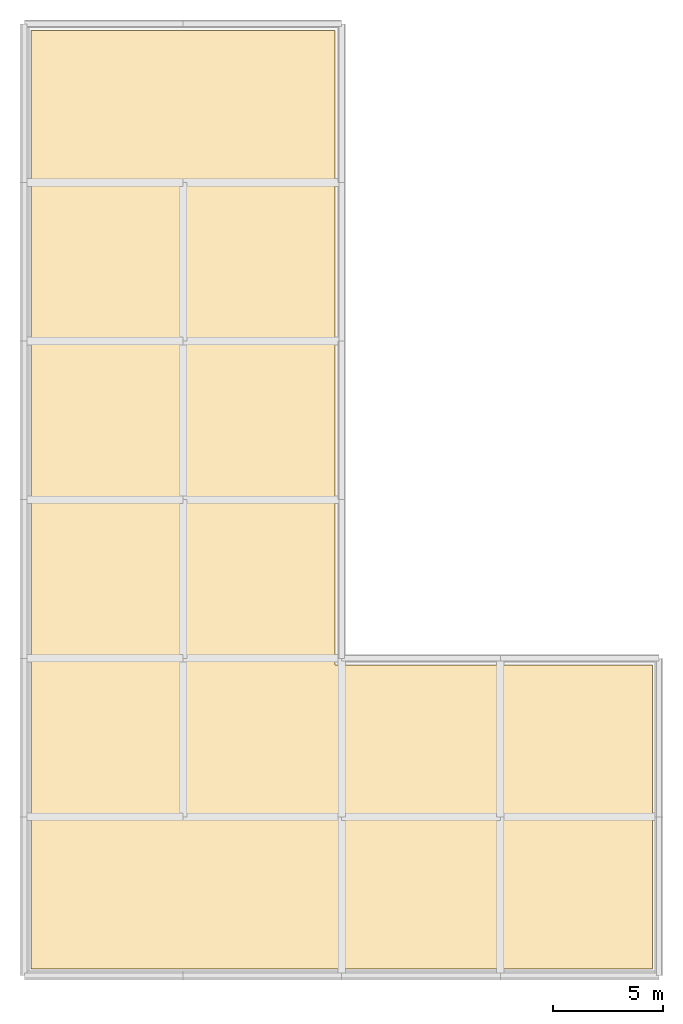
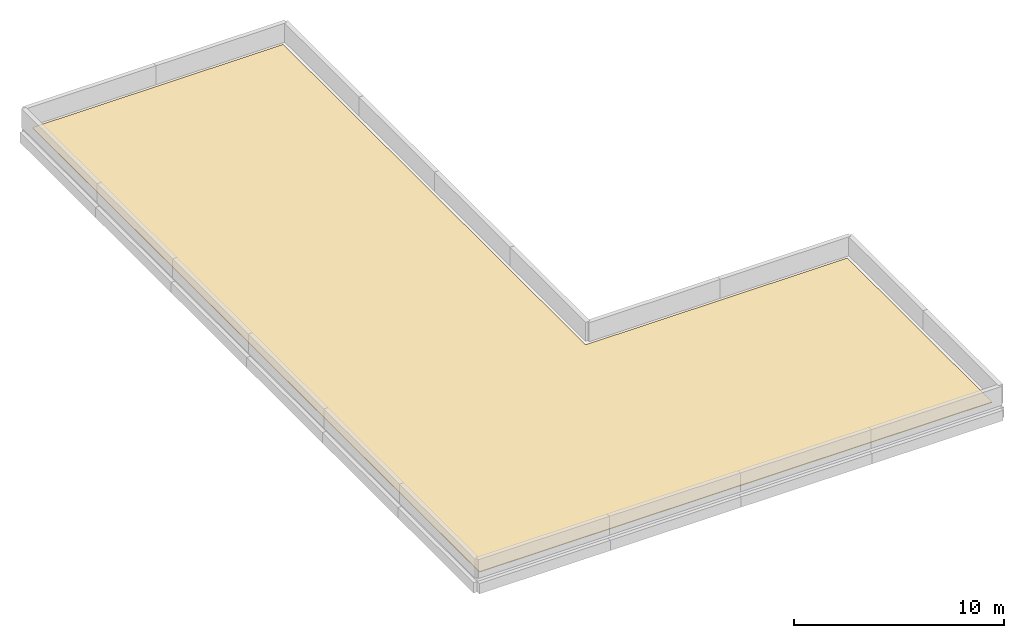
# One storey, part 2 of 2: 1 covering.
"""IFC4 building model written with IfcOpenShell, lengths in metres."""

import ifcopenshell
import ifcopenshell.guid

model = None  # the IFC model being written
_history = None  # IfcOwnerHistory: only IFC2X3 demands one
_inside = {}  # id of a spatial element -> (the spatial element, [elements in it])
_under = {}  # id of a project, library or spatial element -> (it, [spatial elements below it])
_declared = {}  # id of a project -> (the project, [libraries it declares])
_typed = {}  # id of a type object -> (the type object, [elements of that type])
_made_of = {}  # id of a material, layer set ... -> (it, [elements and type objects made of it])


def new_model(schema):
    """Start an empty IFC model of exactly this schema.

    Asked for "IFC4X3", IfcOpenShell would pick the latest addendum, in which some entities
    have other attributes; the version numbers below select the first issue.
    IFC2X3 requires an IfcOwnerHistory on every rooted entity: one is made here for all.
    """
    global model, _history
    if schema == "IFC4X3":
        model = ifcopenshell.file(schema_version=(4, 3, 0, 0))
    else:
        model = ifcopenshell.file(schema=schema)
    _inside.clear()
    _under.clear()
    _declared.clear()
    _typed.clear()
    _made_of.clear()
    _history = None
    if model.schema == "IFC2X3":
        org = make("IfcOrganization", Name="unknown")
        user = make(
            "IfcPersonAndOrganization",
            ThePerson=make("IfcPerson", FamilyName="unknown"),
            TheOrganization=org,
        )
        app = make(
            "IfcApplication",
            ApplicationDeveloper=org,
            Version="unknown",
            ApplicationFullName="unknown",
            ApplicationIdentifier="unknown",
        )
        _history = make(
            "IfcOwnerHistory",
            OwningUser=user,
            OwningApplication=app,
            ChangeAction="ADDED",
            CreationDate=0,
        )
    return model


def make(cls, **values):
    """One entity of the class cls with the attributes given. An attribute that is None is left unset."""
    return model.create_entity(
        cls, **{name: value for name, value in values.items() if value is not None}
    )


def rooted(cls, **values):
    """An entity with a GlobalId (a new one), such as an element, a storey or a relation."""
    return make(cls, GlobalId=ifcopenshell.guid.new(), OwnerHistory=_history, **values)


def si_unit(unit_type, name, prefix=None):
    """IfcSIUnit, for example si_unit("LENGTHUNIT", "METRE", prefix="MILLI")."""
    return make("IfcSIUnit", UnitType=unit_type, Prefix=prefix, Name=name)


def assignment(units):
    """IfcUnitAssignment: the units of a project."""
    return None if units is None else make("IfcUnitAssignment", Units=units)


def point(xyz):
    """IfcCartesianPoint."""
    return None if xyz is None else make("IfcCartesianPoint", Coordinates=xyz)


def direction(xyz):
    """IfcDirection."""
    return None if xyz is None else make("IfcDirection", DirectionRatios=xyz)


def frame(location, z_axis=None, x_axis=None):
    """IfcAxis2Placement3D, a coordinate frame: its origin and axes. An axis left out is left unset."""
    return make(
        "IfcAxis2Placement3D",
        Location=point(location),
        Axis=direction(z_axis),
        RefDirection=direction(x_axis),
    )


def origin():
    """The frame at (0, 0, 0) with its axes left unset."""
    return frame((0.0, 0.0, 0.0))


def place(relative_to, where):
    """IfcLocalPlacement: puts the frame where relative to a parent placement (None: the world)."""
    return make(
        "IfcLocalPlacement", PlacementRelTo=relative_to, RelativePlacement=where
    )


def context(
    kind, dimensions, precision=None, world=None, true_north=None, identifier=None
):
    """IfcGeometricRepresentationContext, for example the 3D "Model" context."""
    return make(
        "IfcGeometricRepresentationContext",
        ContextIdentifier=identifier,
        ContextType=kind,
        CoordinateSpaceDimension=dimensions,
        Precision=precision,
        WorldCoordinateSystem=world,
        TrueNorth=true_north,
    )


def subcontext(parent, identifier, kind, view, scale=None):
    """IfcGeometricRepresentationSubContext, for example "Body" below "Model"."""
    return make(
        "IfcGeometricRepresentationSubContext",
        ContextIdentifier=identifier,
        ContextType=kind,
        ParentContext=parent,
        TargetScale=scale,
        TargetView=view,
    )


def project(units=None, contexts=None):
    """IfcProject with its units and contexts."""
    return rooted(
        "IfcProject",
        Name="project",
        RepresentationContexts=contexts,
        UnitsInContext=assignment(units),
    )


def spatial(cls, under=None, at=None, **own):
    """A site, building, storey or space (cls), placed at a placement, below another one or the project."""
    s = rooted(cls, ObjectPlacement=at, **own)
    if under is not None:
        _under.setdefault(under.id(), (under, []))[1].append(s)
    return s


def polyline(points):
    """IfcPolyline through the points."""
    return make("IfcPolyline", Points=[point(p) for p in points])


def outline(outer, holes=None, kind="AREA"):
    """IfcArbitraryClosedProfileDef: a profile drawn as a closed curve; with holes, ...WithVoids."""
    if holes is None:
        return make("IfcArbitraryClosedProfileDef", ProfileType=kind, OuterCurve=outer)
    return make(
        "IfcArbitraryProfileDefWithVoids",
        ProfileType=kind,
        OuterCurve=outer,
        InnerCurves=holes,
    )


def extrude(swept, where, along, depth):
    """IfcExtrudedAreaSolid: the profile swept, set in the frame where, extruded along a direction by depth."""
    return make(
        "IfcExtrudedAreaSolid",
        SweptArea=swept,
        Position=where,
        ExtrudedDirection=direction(along),
        Depth=depth,
    )


def shape(context_of_items, identifier, shape_type, items):
    """IfcShapeRepresentation: the items that make up one representation, for example the "Body"."""
    return make(
        "IfcShapeRepresentation",
        ContextOfItems=context_of_items,
        RepresentationIdentifier=identifier,
        RepresentationType=shape_type,
        Items=items,
    )


def material(Name=None, Category=None):
    """IfcMaterial."""
    return make("IfcMaterial", Name=Name, Category=Category)


def layer(
    of_material, thickness, ventilated=None, Name=None, Category=None, Priority=None
):
    """IfcMaterialLayer: one layer of a wall or slab, of a material (None: an air gap)."""
    return make(
        "IfcMaterialLayer",
        Material=of_material,
        LayerThickness=thickness,
        IsVentilated=ventilated,
        Name=Name,
        Category=Category,
        Priority=Priority,
    )


def layer_set(layers, Name=None):
    """IfcMaterialLayerSet."""
    return make("IfcMaterialLayerSet", MaterialLayers=layers, LayerSetName=Name)


def made_of(thing, what):
    """Note that an element or type object is made of a material, layer set ...; save() writes the relation."""
    if what is not None:
        _made_of.setdefault(what.id(), (what, []))[1].append(thing)
    return thing


def type_object(cls, material=None, **own):
    """A type object (cls), such as IfcWallType, which elements share."""
    return made_of(rooted(cls, **own), material)


def element(
    cls,
    number,
    at=None,
    inside=None,
    cuts=None,
    type_object=None,
    material=None,
    context=None,
    identifier="Body",
    shape_type=None,
    held_by="IfcProductDefinitionShape",
    body=None,
    shapes=None,
    **own,
):
    """One element of the class cls, such as IfcWall. Its Tag is "e" and its number.

    at: its placement. inside: the storey or other place that contains it. cuts: it is an
    opening in that element (IfcRelVoidsElement). A single representation is given by context,
    identifier, shape_type and body (its items); several are given by shapes. held_by: the class
    of the entity that holds the representations. save() writes the other relations.
    """
    e = rooted(cls, Tag="e%d" % number, ObjectPlacement=at, **own)
    if body is not None:
        shapes = [shape(context, identifier, shape_type, body)]
    if shapes is not None:
        e.Representation = make(held_by, Representations=shapes)
    if inside is not None:
        _inside.setdefault(inside.id(), (inside, []))[1].append(e)
    if cuts is not None:
        rooted(
            "IfcRelVoidsElement", RelatingBuildingElement=cuts, RelatedOpeningElement=e
        )
    if type_object is not None:
        _typed.setdefault(type_object.id(), (type_object, []))[1].append(e)
    return made_of(e, material)


def aggregate(whole, parts):
    """IfcRelAggregates: a whole, such as a stair, and the parts it consists of."""
    return rooted("IfcRelAggregates", RelatingObject=whole, RelatedObjects=parts)


def save(model, path):
    """Write the relations noted so far, then the file.

    IfcRelAggregates (storeys below a building ...), IfcRelContainedInSpatialStructure (elements
    in a storey), IfcRelDefinesByType, IfcRelAssociatesMaterial and IfcRelDeclares: one each for
    every whole, place, type object, material and project.
    """
    for whole, parts in _under.values():
        aggregate(whole, parts)
    for where, things in _inside.values():
        rooted(
            "IfcRelContainedInSpatialStructure",
            RelatedElements=things,
            RelatingStructure=where,
        )
    for kind, things in _typed.values():
        rooted("IfcRelDefinesByType", RelatedObjects=things, RelatingType=kind)
    for what, things in _made_of.values():
        rooted("IfcRelAssociatesMaterial", RelatedObjects=things, RelatingMaterial=what)
    for by, libraries in _declared.values():
        rooted("IfcRelDeclares", RelatingContext=by, RelatedDefinitions=libraries)
    model.write(path)


model = new_model("IFC4")

# Units and contexts
model_context = context("Model", 3, precision=1e-05, world=origin(), true_north=direction((0.0, 1.0)))
body_context = subcontext(model_context, "Body", "Model", "MODEL_VIEW")
ifc_project = project(units=[si_unit("LENGTHUNIT", "METRE"), si_unit("AREAUNIT", "SQUARE_METRE"), si_unit("VOLUMEUNIT", "CUBIC_METRE"), si_unit("PLANEANGLEUNIT", "RADIAN"), si_unit("MASSUNIT", "GRAM", prefix="KILO")], contexts=[model_context])

# Site, building, storey
site_placement = place(None, origin())
site = spatial("IfcSite", under=ifc_project, at=site_placement, CompositionType="ELEMENT")
building_placement = place(site_placement, origin())
building = spatial("IfcBuilding", under=site, at=building_placement, Name="Zornivar Specialist Clinic", CompositionType="ELEMENT")
storey_placement = place(building_placement, frame((0.0, 0.0, 27.0)))
storey = spatial("IfcBuildingStorey", under=building, at=storey_placement, Name="RF", CompositionType="ELEMENT", Elevation=27.0)

# Covering
ifc_material = material(Name="Standing-Seam Pre-Weathered Zinc Roofing")
ifc_layer = layer(ifc_material, 0.0400390625)
ifc_layer_set = layer_set([ifc_layer], Name="Standing-Seam Pre-Weathered Zinc Roofing")
covering_type = type_object("IfcCoveringType", Name="COV-ROOF-ZINC-40", PredefinedType="ROOFING", material=ifc_layer_set)
covering_placement = place(storey_placement, origin())
element("IfcCovering", 1, at=covering_placement, inside=storey, type_object=covering_type, Name="cov:V2:RF:roof", PredefinedType="ROOFING", context=body_context, shape_type="SweptSolid", body=[
    extrude(outline(polyline([(0.300048828125, 0.300048828125), (0.300048828125, 42.89990234375), (14.10009765625, 42.89990234375), (14.10009765625, 14.10009765625), (28.5, 14.10009765625), (28.5, 0.300048828125), (0.300048828125, 0.300048828125)])), origin(), (0.0, 0.0, 1.0), 0.0400390625),
])

save(model, "model.ifc")
